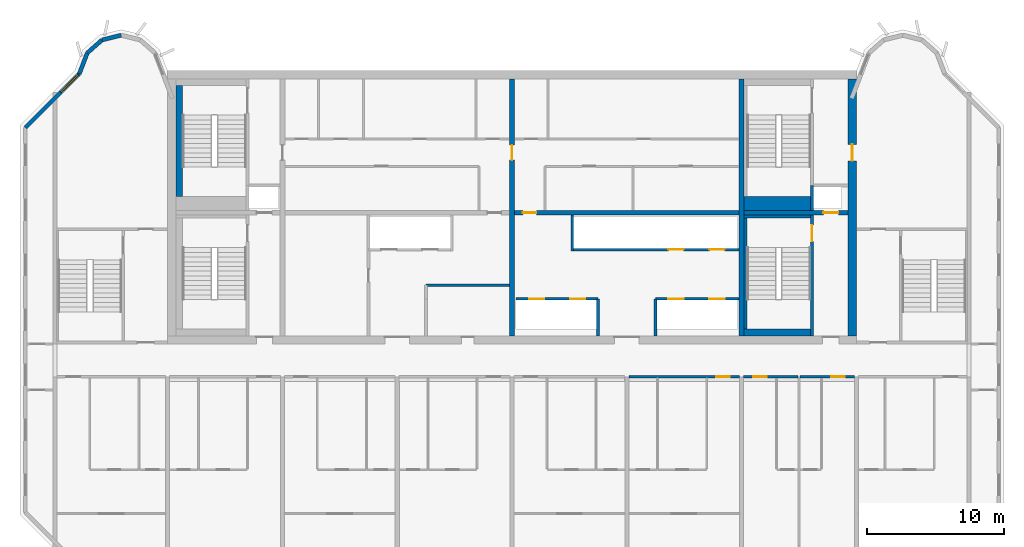
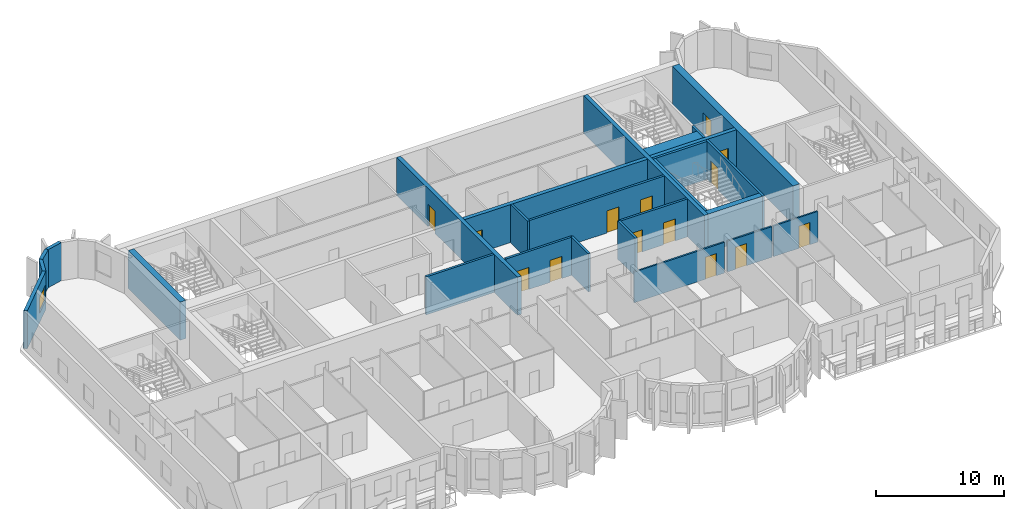
# One storey, part 6 of 11: 26 walls, 14 doors, 1 window, 15 openings.
"""IFC4 building model written with IfcOpenShell, lengths in metres."""

from ifc_helpers import new_model, si_unit, direction, frame, frame_2d, origin, place, context, subcontext, project, spatial, rectangle, extrude, source, transform, mapped, material, layer, layer_set, type_object, element, fill, save


model = new_model("IFC4")

# Units and contexts
model_context = context("Model", 3, precision=1e-05, world=origin(), true_north=direction((0.0, 1.0)))
body_context = subcontext(model_context, "Body", "Model", "MODEL_VIEW")
ifc_project = project(units=[si_unit("LENGTHUNIT", "METRE"), si_unit("AREAUNIT", "SQUARE_METRE"), si_unit("VOLUMEUNIT", "CUBIC_METRE"), si_unit("PLANEANGLEUNIT", "RADIAN"), si_unit("MASSUNIT", "GRAM", prefix="KILO")], contexts=[model_context])

# Site, building, storey
site_placement = place(None, origin())
site = spatial("IfcSite", under=ifc_project, at=site_placement, CompositionType="ELEMENT")
building_placement = place(site_placement, origin())
building = spatial("IfcBuilding", under=site, at=building_placement, Name="Vanashikhar Sky Hotel", CompositionType="ELEMENT")
storey_placement = place(building_placement, frame((0.0, 0.0, 249.10009765625)))
storey = spatial("IfcBuildingStorey", under=building, at=storey_placement, Name="L60", CompositionType="ELEMENT", Elevation=249.10009765625)

# Wall, opening, door
ifc_material_1 = material(Name="Concrete M60", Category="concrete")
ifc_layer_1 = layer(ifc_material_1, 0.60009765625)
ifc_layer_set_1 = layer_set([ifc_layer_1], Name="RC core shell wall 600 Concrete M60")
wall_type_1 = type_object("IfcWallType", Name="RC core shell wall 600 Concrete M60", PredefinedType="SHEAR", material=ifc_layer_set_1)
shared_shape_1 = source(origin(), body_context, "Body", "SweptSolid", [
    extrude(rectangle(XDim=18.7998046875, YDim=0.60009765625, at=frame_2d((9.39990234375, 0.0))), origin(), (0.0, 0.0, 1.0), 3.619873046875),
])
wall_1_placement = place(storey_placement, frame((75.300048828125, 22.60009765625, 0.0), z_axis=(0.0, 0.0, 1.0), x_axis=(0.0, 1.0, 0.0)))
wall_1 = element("IfcWall", 1, at=wall_1_placement, inside=storey, type_object=wall_type_1, Name="KW-L60-KE", PredefinedType="SHEAR", context=body_context, shape_type="MappedRepresentation", body=[
    mapped(shared_shape_1, transform((0.0, 0.0, 0.0), scale=1.0)),
])
shared_shape_2 = source(origin(), body_context, "Body", "SweptSolid", [
    extrude(rectangle(XDim=1.199951171875, YDim=2.10009765625, at=frame_2d((0.60009765625, 1.050048828125))), frame((0.0, 0.31005859375, 0.0), z_axis=(0.0, -1.0, 0.0), x_axis=(1.0, 0.0, 0.0)), (0.0, 0.0, 1.0), 0.6201171875),
])
opening_1_placement = place(wall_1_placement, frame((12.800048828125, 0.0, 0.0)))
opening_1 = element("IfcOpeningElement", 2, at=opening_1_placement, cuts=wall_1, Name="Opening DC-4-D", PredefinedType="OPENING", context=body_context, shape_type="MappedRepresentation", body=[
    mapped(shared_shape_2, transform((0.0, 0.0, 0.0), scale=1.0)),
])
ifc_material_2 = material(Name="Steel", Category="steel")
door_type_1 = type_object("IfcDoorType", Name="Service door 1200 FD120", OperationType="NOTDEFINED", PredefinedType="DOOR", material=ifc_material_2)
shared_shape_3 = source(origin(), body_context, "Body", "SweptSolid", [
    extrude(rectangle(XDim=1.199951171875, YDim=2.10009765625, at=frame_2d((0.60009765625, 1.050048828125))), frame((0.0, 0.02490234375, 0.0), z_axis=(0.0, -1.0, 0.0), x_axis=(1.0, 0.0, 0.0)), (0.0, 0.0, 1.0), 0.050048828125),
])
door_1_placement = place(opening_1_placement, origin())
door_1 = element("IfcDoor", 3, at=door_1_placement, inside=storey, type_object=door_type_1, Name="Service door 1200 FD120", OperationType="SINGLE_SWING_LEFT", OverallHeight=2.10009765625, OverallWidth=1.199951171875, PredefinedType="DOOR", context=body_context, shape_type="MappedRepresentation", body=[
    mapped(shared_shape_3, transform((0.0, 0.0, 0.0), scale=1.0)),
])
fill(opening_1, door_1)

ifc_layer_2 = layer(ifc_material_1, 0.35009765625)
ifc_layer_set_2 = layer_set([ifc_layer_2], Name="RC core inner wall 350 Concrete M60")
wall_type_2 = type_object("IfcWallType", Name="RC core inner wall 350 Concrete M60", PredefinedType="SHEAR", material=ifc_layer_set_2)
shared_shape_4 = source(origin(), body_context, "Body", "SweptSolid", [
    extrude(rectangle(XDim=18.7998046875, YDim=0.35009765625, at=frame_2d((9.39990234375, 0.0))), origin(), (0.0, 0.0, 1.0), 3.619873046875),
])
wall_2_placement = place(storey_placement, frame((50.39990234375, 22.60009765625, 0.0), z_axis=(0.0, 0.0, 1.0), x_axis=(0.0, 1.0, 0.0)))
wall_2 = element("IfcWall", 4, at=wall_2_placement, inside=storey, type_object=wall_type_2, Name="KW-L60-KX2", PredefinedType="SHEAR", context=body_context, shape_type="MappedRepresentation", body=[
    mapped(shared_shape_4, transform((0.0, 0.0, 0.0), scale=1.0)),
])
shared_shape_5 = source(origin(), body_context, "Body", "SweptSolid", [
    extrude(rectangle(XDim=1.10009765625, YDim=2.10009765625, at=frame_2d((0.550048828125, 1.050048828125))), frame((0.0, 0.18505859375, 0.0), z_axis=(0.0, -1.0, 0.0), x_axis=(1.0, 0.0, 0.0)), (0.0, 0.0, 1.0), 0.3701171875),
])
opening_2_placement = place(wall_2_placement, frame((12.85009765625, 0.0, 0.0)))
opening_2 = element("IfcOpeningElement", 5, at=opening_2_placement, cuts=wall_2, Name="Opening DC-4-C", PredefinedType="OPENING", context=body_context, shape_type="MappedRepresentation", body=[
    mapped(shared_shape_5, transform((0.0, 0.0, 0.0), scale=1.0)),
])
door_type_2 = type_object("IfcDoorType", Name="Service door 1100 FD60", OperationType="NOTDEFINED", PredefinedType="DOOR", material=ifc_material_2)
shared_shape_6 = source(origin(), body_context, "Body", "SweptSolid", [
    extrude(rectangle(XDim=1.10009765625, YDim=2.10009765625, at=frame_2d((0.550048828125, 1.050048828125))), frame((0.0, 0.02490234375, 0.0), z_axis=(0.0, -1.0, 0.0), x_axis=(1.0, 0.0, 0.0)), (0.0, 0.0, 1.0), 0.050048828125),
])
door_2_placement = place(opening_2_placement, origin())
door_2 = element("IfcDoor", 6, at=door_2_placement, inside=storey, type_object=door_type_2, Name="Service door 1100 FD60", OperationType="SINGLE_SWING_RIGHT", OverallHeight=2.10009765625, OverallWidth=1.10009765625, PredefinedType="DOOR", context=body_context, shape_type="MappedRepresentation", body=[
    mapped(shared_shape_6, transform((0.0, 0.0, 0.0), scale=1.0)),
])
fill(opening_2, door_2)

# Wall
wall_3_placement = place(storey_placement, frame((67.199951171875, 22.60009765625, 0.0), z_axis=(0.0, 0.0, 1.0), x_axis=(0.0, 1.0, 0.0)))
element("IfcWall", 7, at=wall_3_placement, inside=storey, type_object=wall_type_2, Name="KW-L60-KX3", PredefinedType="SHEAR", context=body_context, shape_type="MappedRepresentation", body=[
    mapped(shared_shape_4, transform((0.0, 0.0, 0.0), scale=1.0)),
])

# Wall, opening, door
shared_shape_7 = source(origin(), body_context, "Body", "SweptSolid", [
    extrude(rectangle(XDim=7.625, YDim=0.35009765625, at=frame_2d((3.8125, 0.0))), origin(), (0.0, 0.0, 1.0), 3.619873046875),
])
wall_4_placement = place(storey_placement, frame((67.375, 31.60009765625, 0.0), z_axis=(0.0, 0.0, 1.0), x_axis=(1.0, 0.0, 0.0)))
wall_4 = element("IfcWall", 8, at=wall_4_placement, inside=storey, type_object=wall_type_2, Name="KW-L60-KY4", PredefinedType="SHEAR", context=body_context, shape_type="MappedRepresentation", body=[
    mapped(shared_shape_7, transform((0.0, 0.0, 0.0), scale=1.0)),
])
opening_3_placement = place(wall_4_placement, frame((5.800048828125, 0.0, 0.0)))
opening_3 = element("IfcOpeningElement", 9, at=opening_3_placement, cuts=wall_4, Name="Opening LD", PredefinedType="OPENING", context=body_context, shape_type="MappedRepresentation", body=[
    mapped(shared_shape_5, transform((0.0, 0.0, 0.0), scale=1.0)),
])
ifc_material_3 = material(Name="Stainless steel", Category="steel")
door_type_3 = type_object("IfcDoorType", Name="Lift landing door 1100", OperationType="NOTDEFINED", PredefinedType="DOOR", material=ifc_material_3)
door_3_placement = place(opening_3_placement, origin())
door_3 = element("IfcDoor", 10, at=door_3_placement, inside=storey, type_object=door_type_3, Name="Lift landing door 1100", OperationType="SLIDING_TO_RIGHT", OverallHeight=2.10009765625, OverallWidth=1.10009765625, PredefinedType="DOOR", context=body_context, shape_type="MappedRepresentation", body=[
    mapped(shared_shape_6, transform((0.0, 0.0, 0.0), scale=1.0)),
])
fill(opening_3, door_3)

shared_shape_8 = source(origin(), body_context, "Body", "SweptSolid", [
    extrude(rectangle(XDim=16.449951171875, YDim=0.35009765625, at=frame_2d((8.22509765625, 0.0))), origin(), (0.0, 0.0, 1.0), 3.619873046875),
])
wall_5_placement = place(storey_placement, frame((50.574951171875, 31.60009765625, 0.0), z_axis=(0.0, 0.0, 1.0), x_axis=(1.0, 0.0, 0.0)))
wall_5 = element("IfcWall", 11, at=wall_5_placement, inside=storey, type_object=wall_type_2, Name="KW-L60-KY3", PredefinedType="SHEAR", context=body_context, shape_type="MappedRepresentation", body=[
    mapped(shared_shape_8, transform((0.0, 0.0, 0.0), scale=1.0)),
])
shared_shape_9 = source(origin(), body_context, "Body", "SweptSolid", [
    extrude(rectangle(XDim=1.0, YDim=2.10009765625, at=frame_2d((0.5, 1.050048828125))), frame((0.0, 0.18505859375, 0.0), z_axis=(0.0, -1.0, 0.0), x_axis=(1.0, 0.0, 0.0)), (0.0, 0.0, 1.0), 0.3701171875),
])
opening_4_placement = place(wall_5_placement, frame((0.613037109375, 0.0, 0.0)))
opening_4 = element("IfcOpeningElement", 12, at=opening_4_placement, cuts=wall_5, Name="Opening DC-4", PredefinedType="OPENING", context=body_context, shape_type="MappedRepresentation", body=[
    mapped(shared_shape_9, transform((0.0, 0.0, 0.0), scale=1.0)),
])
door_type_4 = type_object("IfcDoorType", Name="Service door 1000 FD60", OperationType="NOTDEFINED", PredefinedType="DOOR", material=ifc_material_2)
shared_shape_10 = source(origin(), body_context, "Body", "SweptSolid", [
    extrude(rectangle(XDim=1.0, YDim=2.10009765625, at=frame_2d((0.5, 1.050048828125))), frame((0.0, 0.02490234375, 0.0), z_axis=(0.0, -1.0, 0.0), x_axis=(1.0, 0.0, 0.0)), (0.0, 0.0, 1.0), 0.050048828125),
])
door_4_placement = place(opening_4_placement, origin())
door_4 = element("IfcDoor", 13, at=door_4_placement, inside=storey, type_object=door_type_4, Name="Service door 1000 FD60", OperationType="SINGLE_SWING_RIGHT", OverallHeight=2.10009765625, OverallWidth=1.0, PredefinedType="DOOR", context=body_context, shape_type="MappedRepresentation", body=[
    mapped(shared_shape_10, transform((0.0, 0.0, 0.0), scale=1.0)),
])
fill(opening_4, door_4)

# Wall, opening, window
ifc_material_4 = material(Name="Concrete M50", Category="concrete")
ifc_layer_3 = layer(ifc_material_4, 0.300048828125)
ifc_layer_set_3 = layer_set([ifc_layer_3], Name="Lobe wall 300")
wall_type_3 = type_object("IfcWallType", Name="Lobe wall 300", PredefinedType="SOLIDWALL", material=ifc_layer_set_3)
shared_shape_11 = source(origin(), body_context, "Body", "SweptSolid", [
    extrude(rectangle(XDim=5.576416015625, YDim=0.300048828125, at=frame_2d((2.7880859375, 0.0))), origin(), (0.0, 0.0, 1.0), 3.619873046875),
])
wall_6_placement = place(storey_placement, frame((18.7431640625, 41.77734375, 0.0), z_axis=(0.0, 0.0, 1.0), x_axis=(-0.707106781187, -0.707106781187, 0.0)))
wall_6 = element("IfcWall", 14, at=wall_6_placement, inside=storey, type_object=wall_type_3, Name="Corner wall", PredefinedType="SOLIDWALL", context=body_context, shape_type="MappedRepresentation", body=[
    mapped(shared_shape_11, transform((0.0, 0.0, 0.0), scale=1.0)),
])
shared_shape_12 = source(origin(), body_context, "Body", "SweptSolid", [
    extrude(rectangle(XDim=1.800048828125, YDim=1.5, at=frame_2d((0.89990234375, 0.75))), frame((0.0, 0.16015625, 0.0), z_axis=(0.0, -1.0, 0.0), x_axis=(1.0, 0.0, 0.0)), (0.0, 0.0, 1.0), 0.320068359375),
])
opening_5_placement = place(wall_6_placement, frame((0.117919921875, 0.0, 0.89990234375)))
opening_5 = element("IfcOpeningElement", 15, at=opening_5_placement, cuts=wall_6, Name="Opening WN-4", PredefinedType="OPENING", context=body_context, shape_type="MappedRepresentation", body=[
    mapped(shared_shape_12, transform((0.0, 0.0, 0.0), scale=1.0)),
])
ifc_material_5 = material(Name="Glass", Category="glass")
window_type = type_object("IfcWindowType", Name="Corner window 1800 x 1500", PartitioningType="SINGLE_PANEL", PredefinedType="WINDOW", material=ifc_material_5)
shared_shape_13 = source(origin(), body_context, "Body", "SweptSolid", [
    extrude(rectangle(XDim=1.800048828125, YDim=1.5, at=frame_2d((0.89990234375, 0.75))), frame((0.0, 0.030029296875, 0.0), z_axis=(0.0, -1.0, 0.0), x_axis=(1.0, 0.0, 0.0)), (0.0, 0.0, 1.0), 0.06005859375),
])
window_placement = place(opening_5_placement, origin())
window = element("IfcWindow", 16, at=window_placement, inside=storey, type_object=window_type, Name="Window WN-4", OverallHeight=1.5, OverallWidth=1.800048828125, PartitioningType="SINGLE_PANEL", PredefinedType="WINDOW", context=body_context, shape_type="MappedRepresentation", body=[
    mapped(shared_shape_13, transform((0.0, 0.0, 0.0), scale=1.0)),
])
fill(opening_5, window)

# Walls
shared_shape_14 = source(origin(), body_context, "Body", "SweptSolid", [
    extrude(rectangle(XDim=1.438720703125, YDim=0.300048828125, at=frame_2d((0.71923828125, 0.0))), origin(), (0.0, 0.0, 1.0), 3.619873046875),
])
wall_7_placement = place(storey_placement, frame((21.800048828125, 44.588134765625, 0.0), z_axis=(0.0, 0.0, 1.0), x_axis=(-0.971161932466, -0.238420848351, 0.0)))
element("IfcWall", 17, at=wall_7_placement, inside=storey, type_object=wall_type_3, Name="Lobe wall", PredefinedType="SOLIDWALL", context=body_context, shape_type="MappedRepresentation", body=[
    mapped(shared_shape_14, transform((0.0, 0.0, 0.0), scale=1.0)),
])
shared_shape_15 = source(origin(), body_context, "Body", "SweptSolid", [
    extrude(rectangle(XDim=1.43994140625, YDim=0.300048828125, at=frame_2d((0.719970703125, 0.0))), origin(), (0.0, 0.0, 1.0), 3.619873046875),
])
wall_8_placement = place(storey_placement, frame((20.40283203125, 44.2451171875, 0.0), z_axis=(0.0, 0.0, 1.0), x_axis=(-0.74957555648, -0.661918790432, 0.0)))
element("IfcWall", 18, at=wall_8_placement, inside=storey, type_object=wall_type_3, Name="Lobe wall", PredefinedType="SOLIDWALL", context=body_context, shape_type="MappedRepresentation", body=[
    mapped(shared_shape_15, transform((0.0, 0.0, 0.0), scale=1.0)),
])
shared_shape_16 = source(origin(), body_context, "Body", "SweptSolid", [
    extrude(rectangle(XDim=1.6220703125, YDim=0.300048828125, at=frame_2d((0.81103515625, 0.0))), origin(), (0.0, 0.0, 1.0), 3.619873046875),
])
wall_9_placement = place(storey_placement, frame((19.323486328125, 43.2919921875, 0.0), z_axis=(0.0, 0.0, 1.0), x_axis=(-0.357778527068, -0.933806471154, 0.0)))
element("IfcWall", 19, at=wall_9_placement, inside=storey, type_object=wall_type_3, Name="Lobe wall", PredefinedType="SOLIDWALL", context=body_context, shape_type="MappedRepresentation", body=[
    mapped(shared_shape_16, transform((0.0, 0.0, 0.0), scale=1.0)),
])

# Wall, openings, doors
ifc_material_6 = material(Name="Concrete M40", Category="concrete")
ifc_layer_4 = layer(ifc_material_6, 0.199951171875)
ifc_layer_set_4 = layer_set([ifc_layer_4], Name="Shaft wall 200")
wall_type_4 = type_object("IfcWallType", Name="Shaft wall 200", PredefinedType="SOLIDWALL", material=ifc_layer_set_4)
shared_shape_17 = source(origin(), body_context, "Body", "SweptSolid", [
    extrude(rectangle(XDim=6.0, YDim=0.199951171875, at=frame_2d((3.0, 0.0))), origin(), (0.0, 0.0, 1.0), 3.619873046875),
])
wall_10_placement = place(storey_placement, frame((56.699951171875, 25.300048828125, 0.0), z_axis=(0.0, 0.0, 1.0), x_axis=(-1.0, 0.0, 0.0)))
wall_10 = element("IfcWall", 20, at=wall_10_placement, inside=storey, type_object=wall_type_4, Name="Shaft wall 200", PredefinedType="SOLIDWALL", context=body_context, shape_type="MappedRepresentation", body=[
    mapped(shared_shape_17, transform((0.0, 0.0, 0.0), scale=1.0)),
])
shared_shape_18 = source(origin(), body_context, "Body", "SweptSolid", [
    extrude(rectangle(XDim=1.10009765625, YDim=2.10009765625, at=frame_2d((0.550048828125, 1.050048828125))), frame((0.0, 0.10986328125, 0.0), z_axis=(0.0, -1.0, 0.0), x_axis=(1.0, 0.0, 0.0)), (0.0, 0.0, 1.0), 0.219970703125),
])
opening_6_placement = place(wall_10_placement, frame((0.949951171875, 0.0, 0.0)))
opening_6 = element("IfcOpeningElement", 21, at=opening_6_placement, cuts=wall_10, Name="Opening LD", PredefinedType="OPENING", context=body_context, shape_type="MappedRepresentation", body=[
    mapped(shared_shape_18, transform((0.0, 0.0, 0.0), scale=1.0)),
])
opening_7_placement = place(wall_10_placement, frame((3.949951171875, 0.0, 0.0)))
opening_7 = element("IfcOpeningElement", 22, at=opening_7_placement, cuts=wall_10, Name="Opening LD", PredefinedType="OPENING", context=body_context, shape_type="MappedRepresentation", body=[
    mapped(shared_shape_18, transform((0.0, 0.0, 0.0), scale=1.0)),
])
door_5_placement = place(opening_6_placement, origin())
door_5 = element("IfcDoor", 23, at=door_5_placement, inside=storey, type_object=door_type_3, Name="Lift landing door 1100", OperationType="SLIDING_TO_RIGHT", OverallHeight=2.10009765625, OverallWidth=1.10009765625, PredefinedType="DOOR", context=body_context, shape_type="MappedRepresentation", body=[
    mapped(shared_shape_6, transform((0.0, 0.0, 0.0), scale=1.0)),
])
fill(opening_6, door_5)
door_6_placement = place(opening_7_placement, origin())
door_6 = element("IfcDoor", 24, at=door_6_placement, inside=storey, type_object=door_type_3, Name="Lift landing door 1100", OperationType="SLIDING_TO_LEFT", OverallHeight=2.10009765625, OverallWidth=1.10009765625, PredefinedType="DOOR", context=body_context, shape_type="MappedRepresentation", body=[
    mapped(shared_shape_6, transform((0.0, 0.0, 0.0), scale=1.0)),
])
fill(opening_7, door_6)

# Walls
shared_shape_19 = source(origin(), body_context, "Body", "SweptSolid", [
    extrude(rectangle(XDim=2.699951171875, YDim=0.199951171875, at=frame_2d((1.35009765625, 0.0))), origin(), (0.0, 0.0, 1.0), 3.619873046875),
])
for number, where, z_axis, x_axis, name in (
    (25, (60.89990234375, 22.60009765625, 0.0), (0.0, 0.0, 1.0), (0.0, 1.0, 0.0), "Shaft wall 200"),
    (26, (56.699951171875, 22.60009765625, 0.0), (0.0, 0.0, 1.0), (0.0, 1.0, 0.0), "Shaft wall 200"),
):
    element("IfcWall", number, at=place(storey_placement, frame(where, z_axis=z_axis, x_axis=x_axis)), inside=storey, type_object=wall_type_4, Name=name, PredefinedType="SOLIDWALL", context=body_context, shape_type="MappedRepresentation", body=[
        mapped(shared_shape_19, transform((0.0, 0.0, 0.0), scale=1.0)),
    ])
shared_shape_20 = source(origin(), body_context, "Body", "SweptSolid", [
    extrude(rectangle(XDim=2.625, YDim=0.199951171875, at=frame_2d((1.3125, 0.0))), origin(), (0.0, 0.0, 1.0), 3.619873046875),
])
wall_11_placement = place(storey_placement, frame((54.800048828125, 28.800048828125, 0.0), z_axis=(0.0, 0.0, 1.0), x_axis=(0.0, 1.0, 0.0)))
element("IfcWall", 27, at=wall_11_placement, inside=storey, type_object=wall_type_4, Name="Shaft wall 200", PredefinedType="SOLIDWALL", context=body_context, shape_type="MappedRepresentation", body=[
    mapped(shared_shape_20, transform((0.0, 0.0, 0.0), scale=1.0)),
])
ifc_material_7 = material(Name="Gypsum board partition")
ifc_layer_5 = layer(ifc_material_7, 0.14990234375)
ifc_layer_set_5 = layer_set([ifc_layer_5], Name="Service partition 150")
wall_type_5 = type_object("IfcWallType", Name="Service partition 150", PredefinedType="PARTITIONING", material=ifc_layer_set_5)
shared_shape_21 = source(origin(), body_context, "Body", "SweptSolid", [
    extrude(rectangle(XDim=6.125, YDim=0.199951171875, at=frame_2d((3.0625, 0.0))), origin(), (0.0, 0.0, 1.0), 3.619873046875),
])
wall_12_placement = place(storey_placement, frame((44.10009765625, 26.300048828125, 0.0), z_axis=(0.0, 0.0, 1.0), x_axis=(1.0, 0.0, 0.0)))
element("IfcWall", 28, at=wall_12_placement, inside=storey, type_object=wall_type_5, Name="Service partition 150", PredefinedType="PARTITIONING", context=body_context, shape_type="MappedRepresentation", body=[
    mapped(shared_shape_21, transform((0.0, 0.0, 0.0), scale=1.0)),
])

# Wall, openings, doors
wall_13_placement = place(storey_placement, frame((67.02490234375, 25.300048828125, 0.0), z_axis=(0.0, 0.0, 1.0), x_axis=(-1.0, 0.0, 0.0)))
wall_13 = element("IfcWall", 29, at=wall_13_placement, inside=storey, type_object=wall_type_4, Name="Shaft wall 200", PredefinedType="SOLIDWALL", context=body_context, shape_type="MappedRepresentation", body=[
    mapped(shared_shape_21, transform((0.0, 0.0, 0.0), scale=1.0)),
])
opening_8_placement = place(wall_13_placement, frame((1.074951171875, 0.0, 0.0)))
opening_8 = element("IfcOpeningElement", 30, at=opening_8_placement, cuts=wall_13, Name="Opening LD", PredefinedType="OPENING", context=body_context, shape_type="MappedRepresentation", body=[
    mapped(shared_shape_18, transform((0.0, 0.0, 0.0), scale=1.0)),
])
opening_9_placement = place(wall_13_placement, frame((4.074951171875, 0.0, 0.0)))
opening_9 = element("IfcOpeningElement", 31, at=opening_9_placement, cuts=wall_13, Name="Opening LD", PredefinedType="OPENING", context=body_context, shape_type="MappedRepresentation", body=[
    mapped(shared_shape_18, transform((0.0, 0.0, 0.0), scale=1.0)),
])
door_7_placement = place(opening_8_placement, origin())
door_7 = element("IfcDoor", 32, at=door_7_placement, inside=storey, type_object=door_type_3, Name="Lift landing door 1100", OperationType="SLIDING_TO_RIGHT", OverallHeight=2.10009765625, OverallWidth=1.10009765625, PredefinedType="DOOR", context=body_context, shape_type="MappedRepresentation", body=[
    mapped(shared_shape_6, transform((0.0, 0.0, 0.0), scale=1.0)),
])
fill(opening_8, door_7)
door_8_placement = place(opening_9_placement, origin())
door_8 = element("IfcDoor", 33, at=door_8_placement, inside=storey, type_object=door_type_3, Name="Lift landing door 1100", OperationType="SLIDING_TO_LEFT", OverallHeight=2.10009765625, OverallWidth=1.10009765625, PredefinedType="DOOR", context=body_context, shape_type="MappedRepresentation", body=[
    mapped(shared_shape_6, transform((0.0, 0.0, 0.0), scale=1.0)),
])
fill(opening_9, door_8)

shared_shape_22 = source(origin(), body_context, "Body", "SweptSolid", [
    extrude(rectangle(XDim=12.125, YDim=0.199951171875, at=frame_2d((6.0625, 0.0))), origin(), (0.0, 0.0, 1.0), 3.619873046875),
])
wall_14_placement = place(storey_placement, frame((67.02490234375, 28.89990234375, 0.0), z_axis=(0.0, 0.0, 1.0), x_axis=(-1.0, 0.0, 0.0)))
wall_14 = element("IfcWall", 34, at=wall_14_placement, inside=storey, type_object=wall_type_4, Name="Shaft wall 200", PredefinedType="SOLIDWALL", context=body_context, shape_type="MappedRepresentation", body=[
    mapped(shared_shape_22, transform((0.0, 0.0, 0.0), scale=1.0)),
])
opening_10_placement = place(wall_14_placement, frame((1.074951171875, 0.0, 0.0)))
opening_10 = element("IfcOpeningElement", 35, at=opening_10_placement, cuts=wall_14, Name="Opening LD", PredefinedType="OPENING", context=body_context, shape_type="MappedRepresentation", body=[
    mapped(shared_shape_18, transform((0.0, 0.0, 0.0), scale=1.0)),
])
opening_11_placement = place(wall_14_placement, frame((4.074951171875, 0.0, 0.0)))
opening_11 = element("IfcOpeningElement", 36, at=opening_11_placement, cuts=wall_14, Name="Opening LD", PredefinedType="OPENING", context=body_context, shape_type="MappedRepresentation", body=[
    mapped(shared_shape_18, transform((0.0, 0.0, 0.0), scale=1.0)),
])
door_9_placement = place(opening_10_placement, origin())
door_9 = element("IfcDoor", 37, at=door_9_placement, inside=storey, type_object=door_type_3, Name="Lift landing door 1100", OperationType="SLIDING_TO_RIGHT", OverallHeight=2.10009765625, OverallWidth=1.10009765625, PredefinedType="DOOR", context=body_context, shape_type="MappedRepresentation", body=[
    mapped(shared_shape_6, transform((0.0, 0.0, 0.0), scale=1.0)),
])
fill(opening_10, door_9)
door_10_placement = place(opening_11_placement, origin())
door_10 = element("IfcDoor", 38, at=door_10_placement, inside=storey, type_object=door_type_3, Name="Lift landing door 1100", OperationType="SLIDING_TO_LEFT", OverallHeight=2.10009765625, OverallWidth=1.10009765625, PredefinedType="DOOR", context=body_context, shape_type="MappedRepresentation", body=[
    mapped(shared_shape_6, transform((0.0, 0.0, 0.0), scale=1.0)),
])
fill(opening_11, door_10)

# Wall, opening, door
ifc_layer_6 = layer(ifc_material_4, 0.199951171875)
ifc_layer_set_6 = layer_set([ifc_layer_6], Name="Stair wall 200")
wall_type_6 = type_object("IfcWallType", Name="Stair wall 200", PredefinedType="SOLIDWALL", material=ifc_layer_set_6)
shared_shape_23 = source(origin(), body_context, "Body", "SweptSolid", [
    extrude(rectangle(XDim=8.824951171875, YDim=0.199951171875, at=frame_2d((4.41259765625, 0.0))), origin(), (0.0, 0.0, 1.0), 3.619873046875),
])
wall_15_placement = place(storey_placement, frame((72.35009765625, 22.60009765625, 0.0), z_axis=(0.0, 0.0, 1.0), x_axis=(0.0, 1.0, 0.0)))
wall_15 = element("IfcWall", 39, at=wall_15_placement, inside=storey, type_object=wall_type_6, Name="Stair wall 200", PredefinedType="SOLIDWALL", context=body_context, shape_type="MappedRepresentation", body=[
    mapped(shared_shape_23, transform((0.0, 0.0, 0.0), scale=1.0)),
])
shared_shape_24 = source(origin(), body_context, "Body", "SweptSolid", [
    extrude(rectangle(XDim=1.199951171875, YDim=2.10009765625, at=frame_2d((0.60009765625, 1.050048828125))), frame((0.0, 0.10986328125, 0.0), z_axis=(0.0, -1.0, 0.0), x_axis=(1.0, 0.0, 0.0)), (0.0, 0.0, 1.0), 0.219970703125),
])
opening_12_placement = place(wall_15_placement, frame((6.89990234375, 0.0, 0.0)))
opening_12 = element("IfcOpeningElement", 40, at=opening_12_placement, cuts=wall_15, Name="Opening DC-1", PredefinedType="OPENING", context=body_context, shape_type="MappedRepresentation", body=[
    mapped(shared_shape_24, transform((0.0, 0.0, 0.0), scale=1.0)),
])
door_type_5 = type_object("IfcDoorType", Name="Stair door 1200 FD120", OperationType="NOTDEFINED", PredefinedType="DOOR", material=ifc_material_2)
door_11_placement = place(opening_12_placement, origin())
door_11 = element("IfcDoor", 41, at=door_11_placement, inside=storey, type_object=door_type_5, Name="Stair door 1200 FD120", OperationType="SINGLE_SWING_LEFT", OverallHeight=2.10009765625, OverallWidth=1.199951171875, PredefinedType="DOOR", context=body_context, shape_type="MappedRepresentation", body=[
    mapped(shared_shape_3, transform((0.0, 0.0, 0.0), scale=1.0)),
])
fill(opening_12, door_11)

# Walls
shared_shape_25 = source(origin(), body_context, "Body", "SweptSolid", [
    extrude(rectangle(XDim=1.8251953125, YDim=0.199951171875, at=frame_2d((0.91259765625, 0.0))), origin(), (0.0, 0.0, 1.0), 3.619873046875),
])
wall_16_placement = place(storey_placement, frame((72.35009765625, 31.77490234375, 0.0), z_axis=(0.0, 0.0, 1.0), x_axis=(0.0, 1.0, 0.0)))
element("IfcWall", 42, at=wall_16_placement, inside=storey, type_object=wall_type_4, Name="Shaft wall 200", PredefinedType="SOLIDWALL", context=body_context, shape_type="MappedRepresentation", body=[
    mapped(shared_shape_25, transform((0.0, 0.0, 0.0), scale=1.0)),
])
ifc_layer_7 = layer(ifc_material_4, 0.5)
ifc_layer_set_7 = layer_set([ifc_layer_7], Name="Stair infill wall 500")
wall_type_7 = type_object("IfcWallType", Name="Stair infill wall 500", PredefinedType="SOLIDWALL", material=ifc_layer_set_7)
shared_shape_26 = source(origin(), body_context, "Body", "SweptSolid", [
    extrude(rectangle(XDim=8.099853515625, YDim=0.5, at=frame_2d((4.0498046875, 0.0))), origin(), (0.0, 0.0, 1.0), 3.619873046875),
])
wall_17_placement = place(storey_placement, frame((26.050048828125, 32.800048828125, 0.0), z_axis=(0.0, 0.0, 1.0), x_axis=(0.0, 1.0, 0.0)))
element("IfcWall", 43, at=wall_17_placement, inside=storey, type_object=wall_type_7, Name="Stair infill wall 500", PredefinedType="SOLIDWALL", context=body_context, shape_type="MappedRepresentation", body=[
    mapped(shared_shape_26, transform((0.0, 0.0, 0.0), scale=1.0)),
])
shared_shape_27 = source(origin(), body_context, "Body", "SweptSolid", [
    extrude(rectangle(XDim=4.875, YDim=0.5, at=frame_2d((2.4375, 0.0))), origin(), (0.0, 0.0, 1.0), 3.619873046875),
])
wall_18_placement = place(storey_placement, frame((67.375, 22.85009765625, 0.0), z_axis=(0.0, 0.0, 1.0), x_axis=(1.0, 0.0, 0.0)))
element("IfcWall", 44, at=wall_18_placement, inside=storey, type_object=wall_type_7, Name="Stair infill wall 500", PredefinedType="SOLIDWALL", context=body_context, shape_type="MappedRepresentation", body=[
    mapped(shared_shape_27, transform((0.0, 0.0, 0.0), scale=1.0)),
])
ifc_layer_8 = layer(ifc_material_4, 0.22509765625)
ifc_layer_set_8 = layer_set([ifc_layer_8], Name="Stair infill wall 225")
wall_type_8 = type_object("IfcWallType", Name="Stair infill wall 225", PredefinedType="SOLIDWALL", material=ifc_layer_set_8)
shared_shape_28 = source(origin(), body_context, "Body", "SweptSolid", [
    extrude(rectangle(XDim=4.875, YDim=0.22509765625, at=frame_2d((2.4375, 0.0))), origin(), (0.0, 0.0, 1.0), 3.619873046875),
])
wall_19_placement = place(storey_placement, frame((67.375, 31.31201171875, 0.0), z_axis=(0.0, 0.0, 1.0), x_axis=(1.0, 0.0, 0.0)))
element("IfcWall", 45, at=wall_19_placement, inside=storey, type_object=wall_type_8, Name="Stair infill wall 225", PredefinedType="SOLIDWALL", context=body_context, shape_type="MappedRepresentation", body=[
    mapped(shared_shape_28, transform((0.0, 0.0, 0.0), scale=1.0)),
])
shared_shape_29 = source(origin(), body_context, "Body", "SweptSolid", [
    extrude(rectangle(XDim=8.099853515625, YDim=0.22509765625, at=frame_2d((4.0498046875, 0.0))), origin(), (0.0, 0.0, 1.0), 3.619873046875),
])
wall_20_placement = place(storey_placement, frame((67.487060546875, 23.10009765625, 0.0), z_axis=(0.0, 0.0, 1.0), x_axis=(0.0, 1.0, 0.0)))
element("IfcWall", 46, at=wall_20_placement, inside=storey, type_object=wall_type_8, Name="Stair infill wall 225", PredefinedType="SOLIDWALL", context=body_context, shape_type="MappedRepresentation", body=[
    mapped(shared_shape_29, transform((0.0, 0.0, 0.0), scale=1.0)),
])
ifc_layer_9 = layer(ifc_material_4, 1.02490234375)
ifc_layer_set_9 = layer_set([ifc_layer_9], Name="Stair infill wall 1025")
wall_type_9 = type_object("IfcWallType", Name="Stair infill wall 1025", PredefinedType="SOLIDWALL", material=ifc_layer_set_9)
shared_shape_30 = source(origin(), body_context, "Body", "SweptSolid", [
    extrude(rectangle(XDim=4.875, YDim=1.02490234375, at=frame_2d((2.4375, 0.0))), origin(), (0.0, 0.0, 1.0), 3.619873046875),
])
wall_21_placement = place(storey_placement, frame((67.375, 32.287109375, 0.0), z_axis=(0.0, 0.0, 1.0), x_axis=(1.0, 0.0, 0.0)))
element("IfcWall", 47, at=wall_21_placement, inside=storey, type_object=wall_type_9, Name="Stair infill wall 1025", PredefinedType="SOLIDWALL", context=body_context, shape_type="MappedRepresentation", body=[
    mapped(shared_shape_30, transform((0.0, 0.0, 0.0), scale=1.0)),
])

# Wall, opening, door
ifc_material_8 = material(Name="Gypsum plasterboard partition")
ifc_layer_10 = layer(ifc_material_8, 0.14990234375)
ifc_layer_set_10 = layer_set([ifc_layer_10], Name="Corridor and demising partition 150")
wall_type_10 = type_object("IfcWallType", Name="Corridor and demising partition 150", PredefinedType="PARTITIONING", material=ifc_layer_set_10)
shared_shape_31 = source(origin(), body_context, "Body", "SweptSolid", [
    extrude(rectangle(XDim=8.10009765625, YDim=0.14990234375, at=frame_2d((4.050048828125, 0.0))), origin(), (0.0, 0.0, 1.0), 2.919921875),
])
wall_22_placement = place(storey_placement, frame((58.949951171875, 19.60009765625, 0.0), z_axis=(0.0, 0.0, 1.0), x_axis=(1.0, 0.0, 0.0)))
wall_22 = element("IfcWall", 48, at=wall_22_placement, inside=storey, type_object=wall_type_10, Name="W-L60-PW034", PredefinedType="PARTITIONING", context=body_context, shape_type="MappedRepresentation", body=[
    mapped(shared_shape_31, transform((0.0, 0.0, 0.0), scale=1.0)),
])
shared_shape_32 = source(origin(), body_context, "Body", "SweptSolid", [
    extrude(rectangle(XDim=1.0, YDim=2.10009765625, at=frame_2d((0.5, 1.050048828125))), frame((0.0, 0.0849609375, 0.0), z_axis=(0.0, -1.0, 0.0), x_axis=(1.0, 0.0, 0.0)), (0.0, 0.0, 1.0), 0.169921875),
])
opening_13_placement = place(wall_22_placement, frame((6.39990234375, 0.0, 0.0)))
opening_13 = element("IfcOpeningElement", 49, at=opening_13_placement, cuts=wall_22, Name="Opening D-01", PredefinedType="OPENING", context=body_context, shape_type="MappedRepresentation", body=[
    mapped(shared_shape_32, transform((0.0, 0.0, 0.0), scale=1.0)),
])
ifc_material_9 = material(Name="Timber fire door", Category="wood")
door_type_6 = type_object("IfcDoorType", Name="Guest entry door 1000 FD30S", OperationType="NOTDEFINED", PredefinedType="DOOR", material=ifc_material_9)
door_12_placement = place(opening_13_placement, origin())
door_12 = element("IfcDoor", 50, at=door_12_placement, inside=storey, type_object=door_type_6, Name="D-L60-022", OperationType="SINGLE_SWING_RIGHT", OverallHeight=2.10009765625, OverallWidth=1.0, PredefinedType="DOOR", context=body_context, shape_type="MappedRepresentation", body=[
    mapped(shared_shape_10, transform((0.0, 0.0, 0.0), scale=1.0)),
])
fill(opening_13, door_12)

shared_shape_33 = source(origin(), body_context, "Body", "SweptSolid", [
    extrude(rectangle(XDim=3.974853515625, YDim=0.14990234375, at=frame_2d((1.9873046875, 0.0))), origin(), (0.0, 0.0, 1.0), 2.919921875),
])
wall_23_placement = place(storey_placement, frame((67.35009765625, 19.60009765625, 0.0), z_axis=(0.0, 0.0, 1.0), x_axis=(1.0, 0.0, 0.0)))
wall_23 = element("IfcWall", 51, at=wall_23_placement, inside=storey, type_object=wall_type_10, Name="W-L60-PW037", PredefinedType="PARTITIONING", context=body_context, shape_type="MappedRepresentation", body=[
    mapped(shared_shape_33, transform((0.0, 0.0, 0.0), scale=1.0)),
])
opening_14_placement = place(wall_23_placement, frame((0.699951171875, 0.0, 0.0)))
opening_14 = element("IfcOpeningElement", 52, at=opening_14_placement, cuts=wall_23, Name="Opening D-01", PredefinedType="OPENING", context=body_context, shape_type="MappedRepresentation", body=[
    mapped(shared_shape_32, transform((0.0, 0.0, 0.0), scale=1.0)),
])
door_13_placement = place(opening_14_placement, origin())
door_13 = element("IfcDoor", 53, at=door_13_placement, inside=storey, type_object=door_type_6, Name="D-L60-024", OperationType="SINGLE_SWING_LEFT", OverallHeight=2.10009765625, OverallWidth=1.0, PredefinedType="DOOR", context=body_context, shape_type="MappedRepresentation", body=[
    mapped(shared_shape_10, transform((0.0, 0.0, 0.0), scale=1.0)),
])
fill(opening_14, door_13)

wall_24_placement = place(storey_placement, frame((71.47509765625, 19.60009765625, 0.0), z_axis=(0.0, 0.0, 1.0), x_axis=(1.0, 0.0, 0.0)))
wall_24 = element("IfcWall", 54, at=wall_24_placement, inside=storey, type_object=wall_type_10, Name="W-L60-PW040", PredefinedType="PARTITIONING", context=body_context, shape_type="MappedRepresentation", body=[
    mapped(shared_shape_33, transform((0.0, 0.0, 0.0), scale=1.0)),
])
opening_15_placement = place(wall_24_placement, frame((2.27490234375, 0.0, 0.0)))
opening_15 = element("IfcOpeningElement", 55, at=opening_15_placement, cuts=wall_24, Name="Opening D-01", PredefinedType="OPENING", context=body_context, shape_type="MappedRepresentation", body=[
    mapped(shared_shape_32, transform((0.0, 0.0, 0.0), scale=1.0)),
])
door_14_placement = place(opening_15_placement, origin())
door_14 = element("IfcDoor", 56, at=door_14_placement, inside=storey, type_object=door_type_6, Name="D-L60-026", OperationType="SINGLE_SWING_RIGHT", OverallHeight=2.10009765625, OverallWidth=1.0, PredefinedType="DOOR", context=body_context, shape_type="MappedRepresentation", body=[
    mapped(shared_shape_10, transform((0.0, 0.0, 0.0), scale=1.0)),
])
fill(opening_15, door_14)

save(model, "model.ifc")
